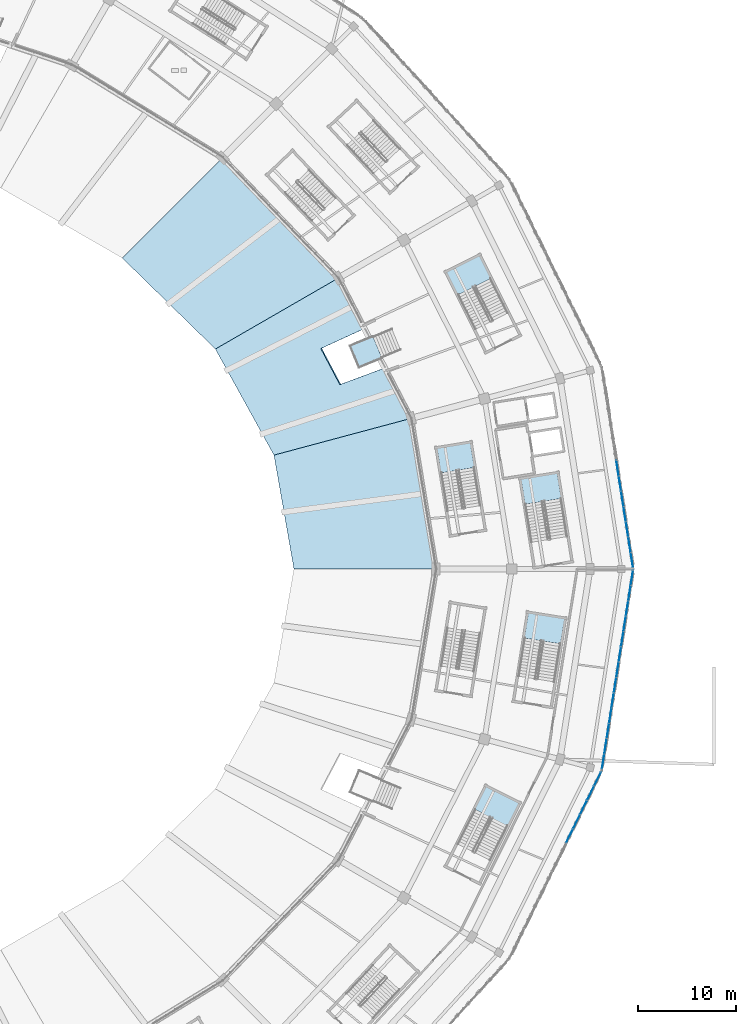
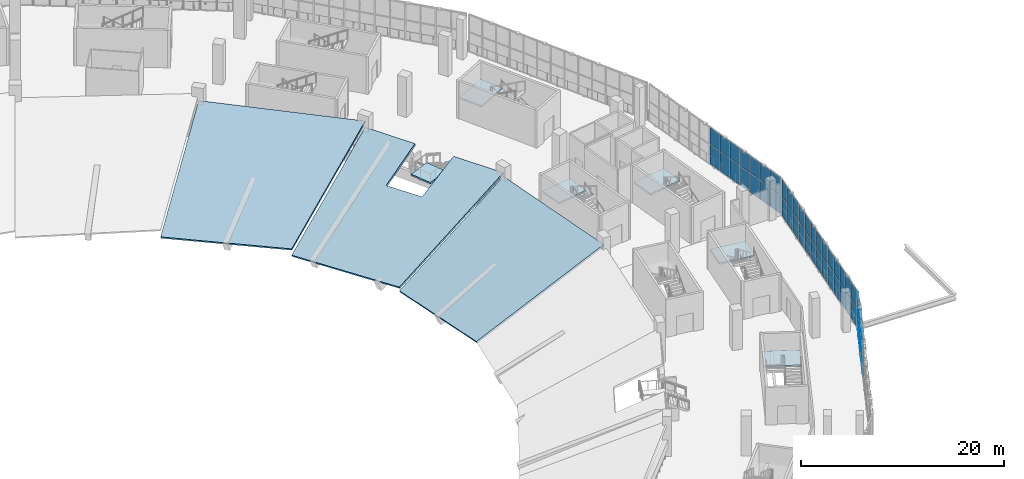
# One storey, part 84 of 183: 50 plates, 9 slabs, 9 elements without a shape of their own.
"""IFC4 building model written with IfcOpenShell, lengths in metres."""

from ifc_helpers import new_model, si_unit, direction, frame, origin, origin_2d, place, context, subcontext, project, spatial, polyline, rectangle, outline, extrude, material, layer, layer_set, type_object, element, aggregate, save


model = new_model("IFC4")

# Units and contexts
model_context = context("Model", 3, precision=1e-05, world=origin(), true_north=direction((0.0, 1.0)))
body_context = subcontext(model_context, "Body", "Model", "MODEL_VIEW")
ifc_project = project(units=[si_unit("LENGTHUNIT", "METRE"), si_unit("AREAUNIT", "SQUARE_METRE"), si_unit("VOLUMEUNIT", "CUBIC_METRE"), si_unit("PLANEANGLEUNIT", "RADIAN"), si_unit("MASSUNIT", "GRAM", prefix="KILO")], contexts=[model_context])

# Site, building, storey
site_placement = place(None, origin())
site = spatial("IfcSite", under=ifc_project, at=site_placement, CompositionType="ELEMENT")
building_placement = place(site_placement, origin())
building = spatial("IfcBuilding", under=site, at=building_placement, Name="Zevraka Park Crest Stadium", CompositionType="ELEMENT")
storey_placement = place(building_placement, frame((0.0, 0.0, 5.39990234375)))
storey = spatial("IfcBuildingStorey", under=building, at=storey_placement, Name="L01", CompositionType="ELEMENT", Elevation=5.39990234375)

# Curtain wall, plates
ifc_material_1 = material(Name="Anodised architectural aluminium and laminated safety glass", Category="aluminium")
curtain_wall_type_1 = type_object("IfcCurtainWallType", Name="CW01", PredefinedType="NOTDEFINED", material=ifc_material_1)
curtain_wall_1_placement = place(storey_placement, origin())
curtain_wall_1 = element("IfcCurtainWall", 1, at=curtain_wall_1_placement, inside=storey, type_object=curtain_wall_type_1, Name="Unitised Ring Curtain Wall CW01 L01-00", PredefinedType="NOTDEFINED")
ifc_material_2 = material(Name="Solar-control laminated double glazing", Category="glass")
ifc_layer_1 = layer(ifc_material_2, 0.028076171875)
ifc_layer_set_1 = layer_set([ifc_layer_1], Name="Solar-control laminated double glazing")
plate_type_1 = type_object("IfcPlateType", Name="CP01", PredefinedType="CURTAIN_PANEL", material=ifc_layer_set_1)
plate_1_placement = place(storey_placement, frame((206.57421875, 92.924560546875, 0.06005859375), z_axis=(0.0, 0.0, 1.0), x_axis=(-0.154475977394, 0.987996544735, 0.0)))
plate_1 = element("IfcPlate", 2, at=plate_1_placement, type_object=plate_type_1, Name="CW01 panel 1.1", PredefinedType="CURTAIN_PANEL", context=body_context, shape_type="SweptSolid", body=[
    extrude(rectangle(XDim=1.49658203125, YDim=0.028076171875, at=origin_2d()), origin(), (0.0, 0.0, 1.0), 2.31005859375),
])
plate_2_placement = place(storey_placement, frame((206.57421875, 92.924560546875, 2.43017578125), z_axis=(0.0, 0.0, 1.0), x_axis=(-0.154475977394, 0.987996544735, 0.0)))
plate_2 = element("IfcPlate", 3, at=plate_2_placement, type_object=plate_type_1, Name="CW01 panel 1.2", PredefinedType="CURTAIN_PANEL", context=body_context, shape_type="SweptSolid", body=[
    extrude(rectangle(XDim=1.49658203125, YDim=0.028076171875, at=origin_2d()), origin(), (0.0, 0.0, 1.0), 2.030029296875),
])
plate_3_placement = place(storey_placement, frame((206.331298828125, 94.477294921875, 0.06005859375), z_axis=(0.0, 0.0, 1.0), x_axis=(-0.154475977394, 0.987996544735, 0.0)))
plate_3 = element("IfcPlate", 4, at=plate_3_placement, type_object=plate_type_1, Name="CW01 panel 2.1", PredefinedType="CURTAIN_PANEL", context=body_context, shape_type="SweptSolid", body=[
    extrude(rectangle(XDim=1.526611328125, YDim=0.028076171875, at=origin_2d()), origin(), (0.0, 0.0, 1.0), 2.31005859375),
])
plate_4_placement = place(storey_placement, frame((206.331298828125, 94.477294921875, 2.43017578125), z_axis=(0.0, 0.0, 1.0), x_axis=(-0.154475977394, 0.987996544735, 0.0)))
plate_4 = element("IfcPlate", 5, at=plate_4_placement, type_object=plate_type_1, Name="CW01 panel 2.2", PredefinedType="CURTAIN_PANEL", context=body_context, shape_type="SweptSolid", body=[
    extrude(rectangle(XDim=1.526611328125, YDim=0.028076171875, at=origin_2d()), origin(), (0.0, 0.0, 1.0), 2.030029296875),
])
plate_5_placement = place(storey_placement, frame((206.08642578125, 96.044677734375, 0.06005859375), z_axis=(0.0, 0.0, 1.0), x_axis=(-0.154475977394, 0.987996544735, 0.0)))
plate_5 = element("IfcPlate", 6, at=plate_5_placement, type_object=plate_type_1, Name="CW01 panel 3.1", PredefinedType="CURTAIN_PANEL", context=body_context, shape_type="SweptSolid", body=[
    extrude(rectangle(XDim=1.526611328125, YDim=0.028076171875, at=origin_2d()), origin(), (0.0, 0.0, 1.0), 2.31005859375),
])
plate_6_placement = place(storey_placement, frame((206.08642578125, 96.044677734375, 2.43017578125), z_axis=(0.0, 0.0, 1.0), x_axis=(-0.154475977394, 0.987996544735, 0.0)))
plate_6 = element("IfcPlate", 7, at=plate_6_placement, type_object=plate_type_1, Name="CW01 panel 3.2", PredefinedType="CURTAIN_PANEL", context=body_context, shape_type="SweptSolid", body=[
    extrude(rectangle(XDim=1.526611328125, YDim=0.028076171875, at=origin_2d()), origin(), (0.0, 0.0, 1.0), 2.030029296875),
])
plate_7_placement = place(storey_placement, frame((205.84130859375, 97.612060546875, 0.06005859375), z_axis=(0.0, 0.0, 1.0), x_axis=(-0.154475977394, 0.987996544735, 0.0)))
plate_7 = element("IfcPlate", 8, at=plate_7_placement, type_object=plate_type_1, Name="CW01 panel 4.1", PredefinedType="CURTAIN_PANEL", context=body_context, shape_type="SweptSolid", body=[
    extrude(rectangle(XDim=1.526611328125, YDim=0.028076171875, at=origin_2d()), origin(), (0.0, 0.0, 1.0), 2.31005859375),
])
plate_8_placement = place(storey_placement, frame((205.84130859375, 97.612060546875, 2.43017578125), z_axis=(0.0, 0.0, 1.0), x_axis=(-0.154475977394, 0.987996544735, 0.0)))
plate_8 = element("IfcPlate", 9, at=plate_8_placement, type_object=plate_type_1, Name="CW01 panel 4.2", PredefinedType="CURTAIN_PANEL", context=body_context, shape_type="SweptSolid", body=[
    extrude(rectangle(XDim=1.526611328125, YDim=0.028076171875, at=origin_2d()), origin(), (0.0, 0.0, 1.0), 2.030029296875),
])
plate_9_placement = place(storey_placement, frame((205.59619140625, 99.1796875, 0.06005859375), z_axis=(0.0, 0.0, 1.0), x_axis=(-0.154475977394, 0.987996544735, 0.0)))
plate_9 = element("IfcPlate", 10, at=plate_9_placement, type_object=plate_type_1, Name="CW01 panel 5.1", PredefinedType="CURTAIN_PANEL", context=body_context, shape_type="SweptSolid", body=[
    extrude(rectangle(XDim=1.526611328125, YDim=0.028076171875, at=origin_2d()), origin(), (0.0, 0.0, 1.0), 2.31005859375),
])
plate_10_placement = place(storey_placement, frame((205.59619140625, 99.1796875, 2.43017578125), z_axis=(0.0, 0.0, 1.0), x_axis=(-0.154475977394, 0.987996544735, 0.0)))
plate_10 = element("IfcPlate", 11, at=plate_10_placement, type_object=plate_type_1, Name="CW01 panel 5.2", PredefinedType="CURTAIN_PANEL", context=body_context, shape_type="SweptSolid", body=[
    extrude(rectangle(XDim=1.526611328125, YDim=0.028076171875, at=origin_2d()), origin(), (0.0, 0.0, 1.0), 2.030029296875),
])
plate_11_placement = place(storey_placement, frame((205.35107421875, 100.7470703125, 0.06005859375), z_axis=(0.0, 0.0, 1.0), x_axis=(-0.154475977394, 0.987996544735, 0.0)))
plate_11 = element("IfcPlate", 12, at=plate_11_placement, type_object=plate_type_1, Name="CW01 panel 6.1", PredefinedType="CURTAIN_PANEL", context=body_context, shape_type="SweptSolid", body=[
    extrude(rectangle(XDim=1.526611328125, YDim=0.028076171875, at=origin_2d()), origin(), (0.0, 0.0, 1.0), 2.31005859375),
])
plate_12_placement = place(storey_placement, frame((205.35107421875, 100.7470703125, 2.43017578125), z_axis=(0.0, 0.0, 1.0), x_axis=(-0.154475977394, 0.987996544735, 0.0)))
plate_12 = element("IfcPlate", 13, at=plate_12_placement, type_object=plate_type_1, Name="CW01 panel 6.2", PredefinedType="CURTAIN_PANEL", context=body_context, shape_type="SweptSolid", body=[
    extrude(rectangle(XDim=1.526611328125, YDim=0.028076171875, at=origin_2d()), origin(), (0.0, 0.0, 1.0), 2.030029296875),
])
plate_13_placement = place(storey_placement, frame((205.10595703125, 102.314453125, 0.06005859375), z_axis=(0.0, 0.0, 1.0), x_axis=(-0.154475977394, 0.987996544735, 0.0)))
plate_13 = element("IfcPlate", 14, at=plate_13_placement, type_object=plate_type_1, Name="CW01 panel 7.1", PredefinedType="CURTAIN_PANEL", context=body_context, shape_type="SweptSolid", body=[
    extrude(rectangle(XDim=1.526611328125, YDim=0.028076171875, at=origin_2d()), origin(), (0.0, 0.0, 1.0), 2.31005859375),
])
plate_14_placement = place(storey_placement, frame((205.10595703125, 102.314453125, 2.43017578125), z_axis=(0.0, 0.0, 1.0), x_axis=(-0.154475977394, 0.987996544735, 0.0)))
plate_14 = element("IfcPlate", 15, at=plate_14_placement, type_object=plate_type_1, Name="CW01 panel 7.2", PredefinedType="CURTAIN_PANEL", context=body_context, shape_type="SweptSolid", body=[
    extrude(rectangle(XDim=1.526611328125, YDim=0.028076171875, at=origin_2d()), origin(), (0.0, 0.0, 1.0), 2.030029296875),
])
aggregate(curtain_wall_1, [plate_1, plate_2, plate_3, plate_4, plate_5, plate_6, plate_7, plate_8, plate_9, plate_10, plate_11, plate_12, plate_13, plate_14])

curtain_wall_2_placement = place(storey_placement, origin())
curtain_wall_2 = element("IfcCurtainWall", 16, at=curtain_wall_2_placement, inside=storey, type_object=curtain_wall_type_1, Name="Unitised Ring Curtain Wall CW01 L01-23", PredefinedType="NOTDEFINED")
plate_15_placement = place(storey_placement, frame((203.637939453125, 72.295654296875, 0.06005859375), z_axis=(0.0, 0.0, 1.0), x_axis=(0.154475977394, 0.987996544735, 0.0)))
plate_15 = element("IfcPlate", 17, at=plate_15_placement, type_object=plate_type_1, Name="CW01 panel 1.1", PredefinedType="CURTAIN_PANEL", context=body_context, shape_type="SweptSolid", body=[
    extrude(rectangle(XDim=1.49658203125, YDim=0.028076171875, at=origin_2d()), origin(), (0.0, 0.0, 1.0), 2.31005859375),
])
plate_16_placement = place(storey_placement, frame((203.637939453125, 72.295654296875, 2.43017578125), z_axis=(0.0, 0.0, 1.0), x_axis=(0.154475977394, 0.987996544735, 0.0)))
plate_16 = element("IfcPlate", 18, at=plate_16_placement, type_object=plate_type_1, Name="CW01 panel 1.2", PredefinedType="CURTAIN_PANEL", context=body_context, shape_type="SweptSolid", body=[
    extrude(rectangle(XDim=1.49658203125, YDim=0.028076171875, at=origin_2d()), origin(), (0.0, 0.0, 1.0), 2.030029296875),
])
plate_17_placement = place(storey_placement, frame((203.880615234375, 73.84814453125, 0.06005859375), z_axis=(0.0, 0.0, 1.0), x_axis=(0.154475977394, 0.987996544735, 0.0)))
plate_17 = element("IfcPlate", 19, at=plate_17_placement, type_object=plate_type_1, Name="CW01 panel 2.1", PredefinedType="CURTAIN_PANEL", context=body_context, shape_type="SweptSolid", body=[
    extrude(rectangle(XDim=1.526611328125, YDim=0.028076171875, at=origin_2d()), origin(), (0.0, 0.0, 1.0), 2.31005859375),
])
plate_18_placement = place(storey_placement, frame((203.880615234375, 73.84814453125, 2.43017578125), z_axis=(0.0, 0.0, 1.0), x_axis=(0.154475977394, 0.987996544735, 0.0)))
plate_18 = element("IfcPlate", 20, at=plate_18_placement, type_object=plate_type_1, Name="CW01 panel 2.2", PredefinedType="CURTAIN_PANEL", context=body_context, shape_type="SweptSolid", body=[
    extrude(rectangle(XDim=1.526611328125, YDim=0.028076171875, at=origin_2d()), origin(), (0.0, 0.0, 1.0), 2.030029296875),
])
plate_19_placement = place(storey_placement, frame((204.125732421875, 75.415771484375, 0.06005859375), z_axis=(0.0, 0.0, 1.0), x_axis=(0.154475977394, 0.987996544735, 0.0)))
plate_19 = element("IfcPlate", 21, at=plate_19_placement, type_object=plate_type_1, Name="CW01 panel 3.1", PredefinedType="CURTAIN_PANEL", context=body_context, shape_type="SweptSolid", body=[
    extrude(rectangle(XDim=1.526611328125, YDim=0.028076171875, at=origin_2d()), origin(), (0.0, 0.0, 1.0), 2.31005859375),
])
plate_20_placement = place(storey_placement, frame((204.125732421875, 75.415771484375, 2.43017578125), z_axis=(0.0, 0.0, 1.0), x_axis=(0.154475977394, 0.987996544735, 0.0)))
plate_20 = element("IfcPlate", 22, at=plate_20_placement, type_object=plate_type_1, Name="CW01 panel 3.2", PredefinedType="CURTAIN_PANEL", context=body_context, shape_type="SweptSolid", body=[
    extrude(rectangle(XDim=1.526611328125, YDim=0.028076171875, at=origin_2d()), origin(), (0.0, 0.0, 1.0), 2.030029296875),
])
plate_21_placement = place(storey_placement, frame((204.370849609375, 76.983154296875, 0.06005859375), z_axis=(0.0, 0.0, 1.0), x_axis=(0.154475977394, 0.987996544735, 0.0)))
plate_21 = element("IfcPlate", 23, at=plate_21_placement, type_object=plate_type_1, Name="CW01 panel 4.1", PredefinedType="CURTAIN_PANEL", context=body_context, shape_type="SweptSolid", body=[
    extrude(rectangle(XDim=1.526611328125, YDim=0.028076171875, at=origin_2d()), origin(), (0.0, 0.0, 1.0), 2.31005859375),
])
plate_22_placement = place(storey_placement, frame((204.370849609375, 76.983154296875, 2.43017578125), z_axis=(0.0, 0.0, 1.0), x_axis=(0.154475977394, 0.987996544735, 0.0)))
plate_22 = element("IfcPlate", 24, at=plate_22_placement, type_object=plate_type_1, Name="CW01 panel 4.2", PredefinedType="CURTAIN_PANEL", context=body_context, shape_type="SweptSolid", body=[
    extrude(rectangle(XDim=1.526611328125, YDim=0.028076171875, at=origin_2d()), origin(), (0.0, 0.0, 1.0), 2.030029296875),
])
plate_23_placement = place(storey_placement, frame((204.615966796875, 78.550537109375, 0.06005859375), z_axis=(0.0, 0.0, 1.0), x_axis=(0.154475977394, 0.987996544735, 0.0)))
plate_23 = element("IfcPlate", 25, at=plate_23_placement, type_object=plate_type_1, Name="CW01 panel 5.1", PredefinedType="CURTAIN_PANEL", context=body_context, shape_type="SweptSolid", body=[
    extrude(rectangle(XDim=1.526611328125, YDim=0.028076171875, at=origin_2d()), origin(), (0.0, 0.0, 1.0), 2.31005859375),
])
plate_24_placement = place(storey_placement, frame((204.615966796875, 78.550537109375, 2.43017578125), z_axis=(0.0, 0.0, 1.0), x_axis=(0.154475977394, 0.987996544735, 0.0)))
plate_24 = element("IfcPlate", 26, at=plate_24_placement, type_object=plate_type_1, Name="CW01 panel 5.2", PredefinedType="CURTAIN_PANEL", context=body_context, shape_type="SweptSolid", body=[
    extrude(rectangle(XDim=1.526611328125, YDim=0.028076171875, at=origin_2d()), origin(), (0.0, 0.0, 1.0), 2.030029296875),
])
plate_25_placement = place(storey_placement, frame((204.86083984375, 80.117919921875, 0.06005859375), z_axis=(0.0, 0.0, 1.0), x_axis=(0.154475977394, 0.987996544735, 0.0)))
plate_25 = element("IfcPlate", 27, at=plate_25_placement, type_object=plate_type_1, Name="CW01 panel 6.1", PredefinedType="CURTAIN_PANEL", context=body_context, shape_type="SweptSolid", body=[
    extrude(rectangle(XDim=1.526611328125, YDim=0.028076171875, at=origin_2d()), origin(), (0.0, 0.0, 1.0), 2.31005859375),
])
plate_26_placement = place(storey_placement, frame((204.86083984375, 80.117919921875, 2.43017578125), z_axis=(0.0, 0.0, 1.0), x_axis=(0.154475977394, 0.987996544735, 0.0)))
plate_26 = element("IfcPlate", 28, at=plate_26_placement, type_object=plate_type_1, Name="CW01 panel 6.2", PredefinedType="CURTAIN_PANEL", context=body_context, shape_type="SweptSolid", body=[
    extrude(rectangle(XDim=1.526611328125, YDim=0.028076171875, at=origin_2d()), origin(), (0.0, 0.0, 1.0), 2.030029296875),
])
plate_27_placement = place(storey_placement, frame((205.10595703125, 81.685546875, 0.06005859375), z_axis=(0.0, 0.0, 1.0), x_axis=(0.154475977394, 0.987996544735, 0.0)))
plate_27 = element("IfcPlate", 29, at=plate_27_placement, type_object=plate_type_1, Name="CW01 panel 7.1", PredefinedType="CURTAIN_PANEL", context=body_context, shape_type="SweptSolid", body=[
    extrude(rectangle(XDim=1.526611328125, YDim=0.028076171875, at=origin_2d()), origin(), (0.0, 0.0, 1.0), 2.31005859375),
])
plate_28_placement = place(storey_placement, frame((205.10595703125, 81.685546875, 2.43017578125), z_axis=(0.0, 0.0, 1.0), x_axis=(0.154475977394, 0.987996544735, 0.0)))
plate_28 = element("IfcPlate", 30, at=plate_28_placement, type_object=plate_type_1, Name="CW01 panel 7.2", PredefinedType="CURTAIN_PANEL", context=body_context, shape_type="SweptSolid", body=[
    extrude(rectangle(XDim=1.526611328125, YDim=0.028076171875, at=origin_2d()), origin(), (0.0, 0.0, 1.0), 2.030029296875),
])
plate_29_placement = place(storey_placement, frame((205.35107421875, 83.2529296875, 0.06005859375), z_axis=(0.0, 0.0, 1.0), x_axis=(0.154475977394, 0.987996544735, 0.0)))
plate_29 = element("IfcPlate", 31, at=plate_29_placement, type_object=plate_type_1, Name="CW01 panel 8.1", PredefinedType="CURTAIN_PANEL", context=body_context, shape_type="SweptSolid", body=[
    extrude(rectangle(XDim=1.526611328125, YDim=0.028076171875, at=origin_2d()), origin(), (0.0, 0.0, 1.0), 2.31005859375),
])
plate_30_placement = place(storey_placement, frame((205.35107421875, 83.2529296875, 2.43017578125), z_axis=(0.0, 0.0, 1.0), x_axis=(0.154475977394, 0.987996544735, 0.0)))
plate_30 = element("IfcPlate", 32, at=plate_30_placement, type_object=plate_type_1, Name="CW01 panel 8.2", PredefinedType="CURTAIN_PANEL", context=body_context, shape_type="SweptSolid", body=[
    extrude(rectangle(XDim=1.526611328125, YDim=0.028076171875, at=origin_2d()), origin(), (0.0, 0.0, 1.0), 2.030029296875),
])
plate_31_placement = place(storey_placement, frame((205.59619140625, 84.8203125, 0.06005859375), z_axis=(0.0, 0.0, 1.0), x_axis=(0.154475977394, 0.987996544735, 0.0)))
plate_31 = element("IfcPlate", 33, at=plate_31_placement, type_object=plate_type_1, Name="CW01 panel 9.1", PredefinedType="CURTAIN_PANEL", context=body_context, shape_type="SweptSolid", body=[
    extrude(rectangle(XDim=1.526611328125, YDim=0.028076171875, at=origin_2d()), origin(), (0.0, 0.0, 1.0), 2.31005859375),
])
plate_32_placement = place(storey_placement, frame((205.59619140625, 84.8203125, 2.43017578125), z_axis=(0.0, 0.0, 1.0), x_axis=(0.154475977394, 0.987996544735, 0.0)))
plate_32 = element("IfcPlate", 34, at=plate_32_placement, type_object=plate_type_1, Name="CW01 panel 9.2", PredefinedType="CURTAIN_PANEL", context=body_context, shape_type="SweptSolid", body=[
    extrude(rectangle(XDim=1.526611328125, YDim=0.028076171875, at=origin_2d()), origin(), (0.0, 0.0, 1.0), 2.030029296875),
])
plate_33_placement = place(storey_placement, frame((205.84130859375, 86.387939453125, 0.06005859375), z_axis=(0.0, 0.0, 1.0), x_axis=(0.154475977394, 0.987996544735, 0.0)))
plate_33 = element("IfcPlate", 35, at=plate_33_placement, type_object=plate_type_1, Name="CW01 panel 10.1", PredefinedType="CURTAIN_PANEL", context=body_context, shape_type="SweptSolid", body=[
    extrude(rectangle(XDim=1.526611328125, YDim=0.028076171875, at=origin_2d()), origin(), (0.0, 0.0, 1.0), 2.31005859375),
])
plate_34_placement = place(storey_placement, frame((205.84130859375, 86.387939453125, 2.43017578125), z_axis=(0.0, 0.0, 1.0), x_axis=(0.154475977394, 0.987996544735, 0.0)))
plate_34 = element("IfcPlate", 36, at=plate_34_placement, type_object=plate_type_1, Name="CW01 panel 10.2", PredefinedType="CURTAIN_PANEL", context=body_context, shape_type="SweptSolid", body=[
    extrude(rectangle(XDim=1.526611328125, YDim=0.028076171875, at=origin_2d()), origin(), (0.0, 0.0, 1.0), 2.030029296875),
])
plate_35_placement = place(storey_placement, frame((206.08642578125, 87.955322265625, 0.06005859375), z_axis=(0.0, 0.0, 1.0), x_axis=(0.154475977394, 0.987996544735, 0.0)))
plate_35 = element("IfcPlate", 37, at=plate_35_placement, type_object=plate_type_1, Name="CW01 panel 11.1", PredefinedType="CURTAIN_PANEL", context=body_context, shape_type="SweptSolid", body=[
    extrude(rectangle(XDim=1.526611328125, YDim=0.028076171875, at=origin_2d()), origin(), (0.0, 0.0, 1.0), 2.31005859375),
])
plate_36_placement = place(storey_placement, frame((206.08642578125, 87.955322265625, 2.43017578125), z_axis=(0.0, 0.0, 1.0), x_axis=(0.154475977394, 0.987996544735, 0.0)))
plate_36 = element("IfcPlate", 38, at=plate_36_placement, type_object=plate_type_1, Name="CW01 panel 11.2", PredefinedType="CURTAIN_PANEL", context=body_context, shape_type="SweptSolid", body=[
    extrude(rectangle(XDim=1.526611328125, YDim=0.028076171875, at=origin_2d()), origin(), (0.0, 0.0, 1.0), 2.030029296875),
])
plate_37_placement = place(storey_placement, frame((206.331298828125, 89.522705078125, 0.06005859375), z_axis=(0.0, 0.0, 1.0), x_axis=(0.154475977394, 0.987996544735, 0.0)))
plate_37 = element("IfcPlate", 39, at=plate_37_placement, type_object=plate_type_1, Name="CW01 panel 12.1", PredefinedType="CURTAIN_PANEL", context=body_context, shape_type="SweptSolid", body=[
    extrude(rectangle(XDim=1.526611328125, YDim=0.028076171875, at=origin_2d()), origin(), (0.0, 0.0, 1.0), 2.31005859375),
])
plate_38_placement = place(storey_placement, frame((206.331298828125, 89.522705078125, 2.43017578125), z_axis=(0.0, 0.0, 1.0), x_axis=(0.154475977394, 0.987996544735, 0.0)))
plate_38 = element("IfcPlate", 40, at=plate_38_placement, type_object=plate_type_1, Name="CW01 panel 12.2", PredefinedType="CURTAIN_PANEL", context=body_context, shape_type="SweptSolid", body=[
    extrude(rectangle(XDim=1.526611328125, YDim=0.028076171875, at=origin_2d()), origin(), (0.0, 0.0, 1.0), 2.030029296875),
])
plate_39_placement = place(storey_placement, frame((206.57421875, 91.075439453125, 0.06005859375), z_axis=(0.0, 0.0, 1.0), x_axis=(0.154475977394, 0.987996544735, 0.0)))
plate_39 = element("IfcPlate", 41, at=plate_39_placement, type_object=plate_type_1, Name="CW01 panel 13.1", PredefinedType="CURTAIN_PANEL", context=body_context, shape_type="SweptSolid", body=[
    extrude(rectangle(XDim=1.49658203125, YDim=0.028076171875, at=origin_2d()), origin(), (0.0, 0.0, 1.0), 2.31005859375),
])
plate_40_placement = place(storey_placement, frame((206.57421875, 91.075439453125, 2.43017578125), z_axis=(0.0, 0.0, 1.0), x_axis=(0.154475977394, 0.987996544735, 0.0)))
plate_40 = element("IfcPlate", 42, at=plate_40_placement, type_object=plate_type_1, Name="CW01 panel 13.2", PredefinedType="CURTAIN_PANEL", context=body_context, shape_type="SweptSolid", body=[
    extrude(rectangle(XDim=1.49658203125, YDim=0.028076171875, at=origin_2d()), origin(), (0.0, 0.0, 1.0), 2.030029296875),
])
aggregate(curtain_wall_2, [plate_15, plate_16, plate_17, plate_18, plate_19, plate_20, plate_21, plate_22, plate_23, plate_24, plate_25, plate_26, plate_27, plate_28, plate_29, plate_30, plate_31, plate_32, plate_33, plate_34, plate_35, plate_36, plate_37, plate_38, plate_39, plate_40])

ifc_material_3 = material(Name="Anodised architectural aluminium and laminated safety glass", Category="aluminium")
curtain_wall_type_2 = type_object("IfcCurtainWallType", Name="CW02", PredefinedType="NOTDEFINED", material=ifc_material_3)
curtain_wall_3_placement = place(storey_placement, origin())
curtain_wall_3 = element("IfcCurtainWall", 43, at=curtain_wall_3_placement, inside=storey, type_object=curtain_wall_type_2, Name="Unitised Ring Curtain Wall CW02 L01-22", PredefinedType="NOTDEFINED")
ifc_material_4 = material(Name="Solar-control laminated double glazing", Category="glass")
ifc_layer_2 = layer(ifc_material_4, 0.028076171875)
ifc_layer_set_2 = layer_set([ifc_layer_2], Name="Solar-control laminated double glazing")
plate_type_2 = type_object("IfcPlateType", Name="CP02", PredefinedType="CURTAIN_PANEL", material=ifc_layer_set_2)
plate_41_placement = place(storey_placement, frame((200.200439453125, 64.680908203125, 0.06494140625), z_axis=(0.0, 0.0, 1.0), x_axis=(0.44151730924, 0.897252732312, 0.0)))
plate_41 = element("IfcPlate", 44, at=plate_41_placement, type_object=plate_type_2, Name="CW02 panel 9.1", PredefinedType="CURTAIN_PANEL", context=body_context, shape_type="SweptSolid", body=[
    extrude(rectangle(XDim=1.5634765625, YDim=0.028076171875, at=origin_2d()), origin(), (0.0, 0.0, 1.0), 2.302490234375),
])
plate_42_placement = place(storey_placement, frame((200.200439453125, 64.680908203125, 2.4326171875), z_axis=(0.0, 0.0, 1.0), x_axis=(0.44151730924, 0.897252732312, 0.0)))
plate_42 = element("IfcPlate", 45, at=plate_42_placement, type_object=plate_type_2, Name="CW02 panel 9.2", PredefinedType="CURTAIN_PANEL", context=body_context, shape_type="SweptSolid", body=[
    extrude(rectangle(XDim=1.5634765625, YDim=0.028076171875, at=origin_2d()), origin(), (0.0, 0.0, 1.0), 2.0224609375),
])
plate_43_placement = place(storey_placement, frame((200.91943359375, 66.141845703125, 0.06494140625), z_axis=(0.0, 0.0, 1.0), x_axis=(0.44151730924, 0.897252732312, 0.0)))
plate_43 = element("IfcPlate", 46, at=plate_43_placement, type_object=plate_type_2, Name="CW02 panel 10.1", PredefinedType="CURTAIN_PANEL", context=body_context, shape_type="SweptSolid", body=[
    extrude(rectangle(XDim=1.5634765625, YDim=0.028076171875, at=origin_2d()), origin(), (0.0, 0.0, 1.0), 2.302490234375),
])
plate_44_placement = place(storey_placement, frame((200.91943359375, 66.141845703125, 2.4326171875), z_axis=(0.0, 0.0, 1.0), x_axis=(0.44151730924, 0.897252732312, 0.0)))
plate_44 = element("IfcPlate", 47, at=plate_44_placement, type_object=plate_type_2, Name="CW02 panel 10.2", PredefinedType="CURTAIN_PANEL", context=body_context, shape_type="SweptSolid", body=[
    extrude(rectangle(XDim=1.5634765625, YDim=0.028076171875, at=origin_2d()), origin(), (0.0, 0.0, 1.0), 2.0224609375),
])
plate_45_placement = place(storey_placement, frame((201.638427734375, 67.60302734375, 0.06494140625), z_axis=(0.0, 0.0, 1.0), x_axis=(0.44151730924, 0.897252732312, 0.0)))
plate_45 = element("IfcPlate", 48, at=plate_45_placement, type_object=plate_type_2, Name="CW02 panel 11.1", PredefinedType="CURTAIN_PANEL", context=body_context, shape_type="SweptSolid", body=[
    extrude(rectangle(XDim=1.5634765625, YDim=0.028076171875, at=origin_2d()), origin(), (0.0, 0.0, 1.0), 2.302490234375),
])
plate_46_placement = place(storey_placement, frame((201.638427734375, 67.60302734375, 2.4326171875), z_axis=(0.0, 0.0, 1.0), x_axis=(0.44151730924, 0.897252732312, 0.0)))
plate_46 = element("IfcPlate", 49, at=plate_46_placement, type_object=plate_type_2, Name="CW02 panel 11.2", PredefinedType="CURTAIN_PANEL", context=body_context, shape_type="SweptSolid", body=[
    extrude(rectangle(XDim=1.5634765625, YDim=0.028076171875, at=origin_2d()), origin(), (0.0, 0.0, 1.0), 2.0224609375),
])
plate_47_placement = place(storey_placement, frame((202.357421875, 69.064208984375, 0.06494140625), z_axis=(0.0, 0.0, 1.0), x_axis=(0.44151730924, 0.897252732312, 0.0)))
plate_47 = element("IfcPlate", 50, at=plate_47_placement, type_object=plate_type_2, Name="CW02 panel 12.1", PredefinedType="CURTAIN_PANEL", context=body_context, shape_type="SweptSolid", body=[
    extrude(rectangle(XDim=1.5634765625, YDim=0.028076171875, at=origin_2d()), origin(), (0.0, 0.0, 1.0), 2.302490234375),
])
plate_48_placement = place(storey_placement, frame((202.357421875, 69.064208984375, 2.4326171875), z_axis=(0.0, 0.0, 1.0), x_axis=(0.44151730924, 0.897252732312, 0.0)))
plate_48 = element("IfcPlate", 51, at=plate_48_placement, type_object=plate_type_2, Name="CW02 panel 12.2", PredefinedType="CURTAIN_PANEL", context=body_context, shape_type="SweptSolid", body=[
    extrude(rectangle(XDim=1.5634765625, YDim=0.028076171875, at=origin_2d()), origin(), (0.0, 0.0, 1.0), 2.0224609375),
])
plate_49_placement = place(storey_placement, frame((203.0693359375, 70.5107421875, 0.06494140625), z_axis=(0.0, 0.0, 1.0), x_axis=(0.44151730924, 0.897252732312, 0.0)))
plate_49 = element("IfcPlate", 52, at=plate_49_placement, type_object=plate_type_2, Name="CW02 panel 13.1", PredefinedType="CURTAIN_PANEL", context=body_context, shape_type="SweptSolid", body=[
    extrude(rectangle(XDim=1.531005859375, YDim=0.028076171875, at=origin_2d()), origin(), (0.0, 0.0, 1.0), 2.302490234375),
])
plate_50_placement = place(storey_placement, frame((203.0693359375, 70.5107421875, 2.4326171875), z_axis=(0.0, 0.0, 1.0), x_axis=(0.44151730924, 0.897252732312, 0.0)))
plate_50 = element("IfcPlate", 53, at=plate_50_placement, type_object=plate_type_2, Name="CW02 panel 13.2", PredefinedType="CURTAIN_PANEL", context=body_context, shape_type="SweptSolid", body=[
    extrude(rectangle(XDim=1.531005859375, YDim=0.028076171875, at=origin_2d()), origin(), (0.0, 0.0, 1.0), 2.0224609375),
])
aggregate(curtain_wall_3, [plate_41, plate_42, plate_43, plate_44, plate_45, plate_46, plate_47, plate_48, plate_49, plate_50])

# Stair, slab
ifc_material_5 = material(Name="Concrete C35/45", Category="concrete")
stair_type_1 = type_object("IfcStairType", Name="STA2", PredefinedType="HALF_TURN_STAIR", material=ifc_material_5)
stair_1_placement = place(storey_placement, origin())
stair_1 = element("IfcStair", 54, at=stair_1_placement, inside=storey, type_object=stair_type_1, Name="L01 Protected Concourse Exit Stair ST01", PredefinedType="HALF_TURN_STAIR")
ifc_material_6 = material(Name="Concrete C35/45", Category="concrete")
ifc_layer_3 = layer(ifc_material_6, 0.199951171875)
ifc_layer_set_3 = layer_set([ifc_layer_3], Name="Concrete C35/45")
slab_type_1 = type_object("IfcSlabType", Name="LS01", PredefinedType="LANDING", material=ifc_layer_set_3)
slab_1_placement = place(storey_placement, frame((0.0, 0.0, 2.2001953125)))
slab_1 = element("IfcSlab", 55, at=slab_1_placement, type_object=slab_type_1, Name="ST01 landing 1", PredefinedType="LANDING", context=body_context, shape_type="SweptSolid", body=[
    extrude(outline(polyline([(199.355224609375, 99.205810546875), (198.94482421875, 101.783447265625), (195.2314453125, 101.192138671875), (195.64208984375, 98.614501953125), (199.355224609375, 99.205810546875)])), origin(), (0.0, 0.0, 1.0), 0.199951171875),
])
aggregate(stair_1, [slab_1])

stair_2_placement = place(storey_placement, origin())
stair_2 = element("IfcStair", 56, at=stair_2_placement, inside=storey, type_object=stair_type_1, Name="L01 Protected Concourse Exit Stair ST02", PredefinedType="HALF_TURN_STAIR")
slab_2_placement = place(storey_placement, frame((0.0, 0.0, 2.2001953125)))
slab_2 = element("IfcSlab", 57, at=slab_2_placement, type_object=slab_type_1, Name="ST02 landing 1", PredefinedType="LANDING", context=body_context, shape_type="SweptSolid", body=[
    extrude(outline(polyline([(192.146484375, 121.719970703125), (190.977294921875, 124.053466796875), (187.61572265625, 122.369140625), (188.78466796875, 120.03564453125), (192.146484375, 121.719970703125)])), origin(), (0.0, 0.0, 1.0), 0.199951171875),
])
aggregate(stair_2, [slab_2])

stair_3_placement = place(storey_placement, origin())
stair_3 = element("IfcStair", 58, at=stair_3_placement, inside=storey, type_object=stair_type_1, Name="L01 Protected Concourse Exit Stair ST23", PredefinedType="HALF_TURN_STAIR")
slab_3_placement = place(storey_placement, frame((0.0, 0.0, 2.2001953125)))
slab_3 = element("IfcSlab", 59, at=slab_3_placement, type_object=slab_type_1, Name="ST23 landing 1", PredefinedType="LANDING", context=body_context, shape_type="SweptSolid", body=[
    extrude(outline(polyline([(193.861572265625, 65.703857421875), (195.030517578125, 68.037353515625), (191.6689453125, 69.721435546875), (190.499755859375, 67.387939453125), (193.861572265625, 65.703857421875)])), origin(), (0.0, 0.0, 1.0), 0.199951171875),
])
aggregate(stair_3, [slab_3])

stair_4_placement = place(storey_placement, origin())
stair_4 = element("IfcStair", 60, at=stair_4_placement, inside=storey, type_object=stair_type_1, Name="L01 Protected Concourse Exit Stair ST24", PredefinedType="HALF_TURN_STAIR")
slab_4_placement = place(storey_placement, frame((0.0, 0.0, 2.2001953125)))
slab_4 = element("IfcSlab", 61, at=slab_4_placement, type_object=slab_type_1, Name="ST24 landing 1", PredefinedType="LANDING", context=body_context, shape_type="SweptSolid", body=[
    extrude(outline(polyline([(199.28173828125, 84.329833984375), (199.692138671875, 86.907470703125), (195.97900390625, 87.498779296875), (195.568603515625, 84.921142578125), (199.28173828125, 84.329833984375)])), origin(), (0.0, 0.0, 1.0), 0.199951171875),
])
aggregate(stair_4, [slab_4])

ifc_material_7 = material(Name="Concrete C35/45", Category="concrete")
stair_type_2 = type_object("IfcStairType", Name="STB2", PredefinedType="HALF_TURN_STAIR", material=ifc_material_7)
stair_5_placement = place(storey_placement, origin())
stair_5 = element("IfcStair", 62, at=stair_5_placement, inside=storey, type_object=stair_type_2, Name="L01 Protected Concourse Relief Stair ST33", PredefinedType="HALF_TURN_STAIR")
slab_5_placement = place(storey_placement, frame((0.0, 0.0, 2.2001953125)))
slab_5 = element("IfcSlab", 63, at=slab_5_placement, type_object=slab_type_1, Name="ST33 landing 1", PredefinedType="LANDING", context=body_context, shape_type="SweptSolid", body=[
    extrude(outline(polyline([(190.464111328125, 102.373046875), (190.052734375, 104.899658203125), (186.6376953125, 104.343505859375), (187.049072265625, 101.81689453125), (190.464111328125, 102.373046875)])), origin(), (0.0, 0.0, 1.0), 0.199951171875),
])
aggregate(stair_5, [slab_5])

ifc_material_8 = material(Name="Concrete C35/45", Category="concrete")
stair_type_3 = type_object("IfcStairType", Name="VST1", PredefinedType="STRAIGHT_RUN_STAIR", material=ifc_material_8)
stair_6_placement = place(storey_placement, origin())
stair_6 = element("IfcStair", 64, at=stair_6_placement, inside=storey, type_object=stair_type_3, Name="Vomitory Stair VS-01", PredefinedType="STRAIGHT_RUN_STAIR")
ifc_material_9 = material(Name="Concrete C35/45", Category="concrete")
ifc_layer_4 = layer(ifc_material_9, 0.179931640625)
ifc_layer_set_4 = layer_set([ifc_layer_4], Name="Concrete C35/45")
slab_type_2 = type_object("IfcSlabType", Name="LS02", PredefinedType="LANDING", material=ifc_layer_set_4)
slab_6_placement = place(storey_placement, frame((0.0, 0.0, 1.02001953125)))
slab_6 = element("IfcSlab", 65, at=slab_6_placement, type_object=slab_type_2, Name="VST1 landing 1", PredefinedType="LANDING", context=body_context, shape_type="SweptSolid", body=[
    extrude(outline(polyline([(180.0810546875, 115.80810546875), (177.748046875, 114.841064453125), (178.666015625, 112.6240234375), (180.9990234375, 113.590087890625), (180.0810546875, 115.80810546875)])), origin(), (0.0, 0.0, 1.0), 0.18017578125),
])
aggregate(stair_6, [slab_6])

# Slabs
ifc_material_10 = material(Name="Concrete C35/45", Category="concrete")
ifc_layer_5 = layer(ifc_material_10, 0.25)
ifc_layer_set_5 = layer_set([ifc_layer_5], Name="Concrete C35/45")
slab_type_3 = type_object("IfcSlabType", Name="STL1", PredefinedType="USERDEFINED", material=ifc_layer_set_5)
slab_7_placement = place(storey_placement, frame((172.0, 92.0, -3.083740234375), z_axis=(-0.413678354675, -0.054461033566, 0.908792723726), x_axis=(-0.172816474741, 0.984757974906, -0.019651893485)))
element("IfcSlab", 66, at=slab_7_placement, inside=storey, type_object=slab_type_3, Name="Lower Tier Raked Seating Slab 00", ObjectType="SEATING TIER", PredefinedType="USERDEFINED", context=body_context, shape_type="SweptSolid", body=[
    extrude(outline(polyline([(0.0, 0.0), (11.827244160152556, 5.551115123125783e-16), (12.972997504054115, -15.889195685552531), (-2.6355480977032752, -15.712046272215026), (0.0, 0.0)])), origin(), (0.0, 0.0, -1.0), 0.25),
])
slab_8_placement = place(storey_placement, frame((169.9560546875, 103.64697265625, -2.882080078125), z_axis=(-0.385474297041, -0.15967894094, 0.908797118251), x_axis=(-0.482829240661, 0.874216895554, -0.051193201614)))
element("IfcSlab", 67, at=slab_8_placement, inside=storey, type_object=slab_type_3, Name="Lower Tier Raked Seating Slab 01", ObjectType="SEATING TIER", PredefinedType="USERDEFINED", context=body_context, shape_type="SweptSolid", body=[
    extrude(outline(polyline([(0.0, 0.0), (12.414579417833545, 1.6653345369377348e-16), (12.351822765921051, -15.931143620033351), (6.530428331253988, -15.763501241328278), (7.01180307936752, -10.40353243899197), (2.841543913652132, -10.317727313160253), (2.002446908090243, -15.633466233792237), (-3.8189600249170597, -15.46592495025442), (0.0, 0.0)])), origin(), (0.0, 0.0, -1.0), 0.25),
])
slab_9_placement = place(storey_placement, frame((163.9619140625, 114.5, -2.765625), z_axis=(-0.331007566991, -0.253992997839, 0.908802259924), x_axis=(-0.7136412327, 0.697490139036, -0.064989975673)))
element("IfcSlab", 68, at=slab_9_placement, inside=storey, type_object=slab_type_3, Name="Lower Tier Raked Seating Slab 02", ObjectType="SEATING TIER", PredefinedType="USERDEFINED", context=body_context, shape_type="SweptSolid", body=[
    extrude(outline(polyline([(0.0, 0.0), (13.362296950487588, 1.3322676295501878e-15), (12.767776603352425, -15.920105098212314), (-4.333405763240118, -15.330480986809985), (0.0, 0.0)])), origin(), (0.0, 0.0, -1.0), 0.25),
])

save(model, "model.ifc")
